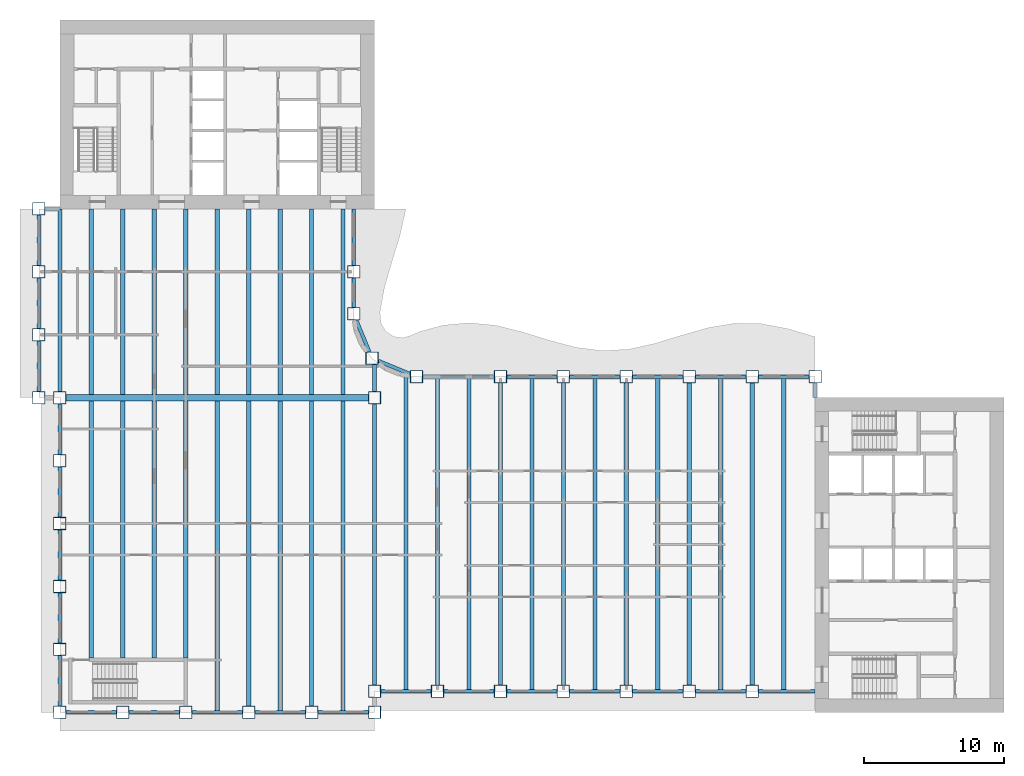
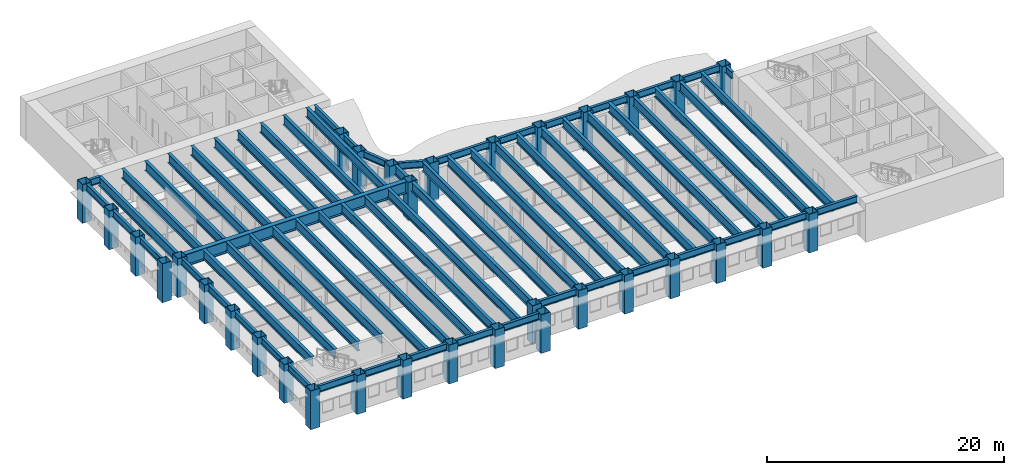
# One storey, part 1 of 16: 67 beams, 33 columns.
"""IFC4 building model written with IfcOpenShell, lengths in metres."""

from ifc_helpers import new_model, si_unit, direction, frame, origin, origin_2d, place, context, subcontext, project, spatial, hollow_rectangle, i_section, extrude, material, material_profile, profile_set, type_object, element, save


model = new_model("IFC4")

# Units and contexts
model_context = context("Model", 3, precision=1e-05, world=origin(), true_north=direction((0.0, 1.0)))
body_context = subcontext(model_context, "Body", "Model", "MODEL_VIEW")
ifc_project = project(units=[si_unit("LENGTHUNIT", "METRE"), si_unit("AREAUNIT", "SQUARE_METRE"), si_unit("VOLUMEUNIT", "CUBIC_METRE"), si_unit("PLANEANGLEUNIT", "RADIAN"), si_unit("MASSUNIT", "GRAM", prefix="KILO")], contexts=[model_context])

# Site, building, storey
site_placement = place(None, origin())
site = spatial("IfcSite", under=ifc_project, at=site_placement, CompositionType="ELEMENT")
building_placement = place(site_placement, origin())
building = spatial("IfcBuilding", under=site, at=building_placement, Name="Sennacour Bend Tower", CompositionType="ELEMENT")
storey_placement = place(building_placement, frame((0.0, 0.0, 175.0)))
storey = spatial("IfcBuildingStorey", under=building, at=storey_placement, Name="L40", CompositionType="ELEMENT", Elevation=175.0)

# Columns
ifc_material_1 = material(Name="Steel ASTM A572 Grade 50", Category="steel")
ifc_material_profile_1 = material_profile(ifc_material_1, hollow_rectangle(XDim=0.89990234375, YDim=0.89990234375, WallThickness=0.044921875, at=origin_2d()), Name="Steel ASTM A572 Grade 50", Category="steel")
ifc_profile_set_1 = profile_set([ifc_material_profile_1], Name="Steel ASTM A572 Grade 50")
column_type = type_object("IfcColumnType", Name="Box column 900", PredefinedType="COLUMN", material=ifc_profile_set_1)
for number, where, z_axis, x_axis, name in (
    (1, (-1.5, 22.5, -0.14990234375), (0.0, 0.0, 1.0), (1.0, 0.0, 0.0), "Perimeter column C3 L40-001"),
    (2, (-1.5, 27.0, -0.14990234375), (0.0, 0.0, 1.0), (1.0, 0.0, 0.0), "Perimeter column C3 L40-002"),
    (3, (-1.5, 31.5, -0.14990234375), (0.0, 0.0, 1.0), (1.0, 0.0, 0.0), "Perimeter column C3 L40-003"),
    (4, (-1.5, 36.0, -0.14990234375), (0.0, 0.0, 1.0), (1.0, 0.0, 0.0), "Perimeter column C3 L40-004"),
    (5, (0.0, 0.0, -0.14990234375), (0.0, 0.0, 1.0), (1.0, 0.0, 0.0), "Perimeter column C3 L40-005"),
    (6, (0.0, 4.5, -0.14990234375), (0.0, 0.0, 1.0), (1.0, 0.0, 0.0), "Perimeter column C3 L40-006"),
    (7, (0.0, 9.0, -0.14990234375), (0.0, 0.0, 1.0), (1.0, 0.0, 0.0), "Perimeter column C3 L40-007"),
    (8, (0.0, 13.5, -0.14990234375), (0.0, 0.0, 1.0), (1.0, 0.0, 0.0), "Perimeter column C3 L40-008"),
    (9, (0.0, 18.0, -0.14990234375), (0.0, 0.0, 1.0), (1.0, 0.0, 0.0), "Perimeter column C3 L40-009"),
    (10, (0.0, 22.5, -0.14990234375), (0.0, 0.0, 1.0), (1.0, 0.0, 0.0), "Perimeter column C3 L40-010"),
    (11, (4.5, 0.0, -0.14990234375), (0.0, 0.0, 1.0), (1.0, 0.0, 0.0), "Perimeter column C3 L40-011"),
    (12, (9.0, 0.0, -0.14990234375), (0.0, 0.0, 1.0), (1.0, 0.0, 0.0), "Perimeter column C3 L40-012"),
    (13, (13.5, 0.0, -0.14990234375), (0.0, 0.0, 1.0), (1.0, 0.0, 0.0), "Perimeter column C3 L40-013"),
    (14, (18.0, 0.0, -0.14990234375), (0.0, 0.0, 1.0), (1.0, 0.0, 0.0), "Perimeter column C3 L40-014"),
    (15, (21.0, 28.5, -0.14990234375), (0.0, 0.0, 1.0), (1.0, 0.0, 0.0), "Perimeter column C3 L40-015"),
    (16, (21.0, 31.5, -0.14990234375), (0.0, 0.0, 1.0), (1.0, 0.0, 0.0), "Perimeter column C3 L40-016"),
    (17, (22.318115234375, 25.318115234375, -0.14990234375), (0.0, 0.0, 1.0), (1.0, 0.0, 0.0), "Perimeter column C3 L40-017"),
    (18, (22.5, 0.0, -0.14990234375), (0.0, 0.0, 1.0), (1.0, 0.0, 0.0), "Perimeter column C3 L40-018"),
    (19, (22.5, 1.5, -0.14990234375), (0.0, 0.0, 1.0), (1.0, 0.0, 0.0), "Perimeter column C3 L40-019"),
    (20, (22.5, 22.5, -0.14990234375), (0.0, 0.0, 1.0), (1.0, 0.0, 0.0), "Knuckle column C3 L40-020"),
    (21, (25.5, 24.0, -0.14990234375), (0.0, 0.0, 1.0), (1.0, 0.0, 0.0), "Perimeter column C3 L40-021"),
    (22, (27.0, 1.5, -0.14990234375), (0.0, 0.0, 1.0), (1.0, 0.0, 0.0), "Perimeter column C3 L40-022"),
    (23, (31.5, 1.5, -0.14990234375), (0.0, 0.0, 1.0), (1.0, 0.0, 0.0), "Perimeter column C3 L40-023"),
    (24, (31.5, 24.0, -0.14990234375), (0.0, 0.0, 1.0), (1.0, 0.0, 0.0), "Perimeter column C3 L40-024"),
    (25, (36.0, 1.5, -0.14990234375), (0.0, 0.0, 1.0), (1.0, 0.0, 0.0), "Perimeter column C3 L40-025"),
    (26, (36.0, 24.0, -0.14990234375), (0.0, 0.0, 1.0), (1.0, 0.0, 0.0), "Perimeter column C3 L40-026"),
    (27, (40.5, 1.5, -0.14990234375), (0.0, 0.0, 1.0), (1.0, 0.0, 0.0), "Perimeter column C3 L40-027"),
    (28, (40.5, 24.0, -0.14990234375), (0.0, 0.0, 1.0), (1.0, 0.0, 0.0), "Perimeter column C3 L40-028"),
    (29, (45.0, 1.5, -0.14990234375), (0.0, 0.0, 1.0), (1.0, 0.0, 0.0), "Perimeter column C3 L40-029"),
    (30, (45.0, 24.0, -0.14990234375), (0.0, 0.0, 1.0), (1.0, 0.0, 0.0), "Perimeter column C3 L40-030"),
    (31, (49.5, 1.5, -0.14990234375), (0.0, 0.0, 1.0), (1.0, 0.0, 0.0), "Perimeter column C3 L40-031"),
    (32, (49.5, 24.0, -0.14990234375), (0.0, 0.0, 1.0), (1.0, 0.0, 0.0), "Perimeter column C3 L40-032"),
    (33, (54.0, 24.0, -0.14990234375), (0.0, 0.0, 1.0), (1.0, 0.0, 0.0), "Perimeter column C3 L40-033"),
):
    element("IfcColumn", number, at=place(storey_placement, frame(where, z_axis=z_axis, x_axis=x_axis)), inside=storey, type_object=column_type, Name=name, PredefinedType="COLUMN", context=body_context, shape_type="SweptSolid", body=[
        extrude(hollow_rectangle(XDim=0.89990234375, YDim=0.89990234375, WallThickness=0.044921875, at=origin_2d()), origin(), (0.0, 0.0, 1.0), 4.0),
    ])

# Beams
ifc_material_2 = material(Name="Steel ASTM A992 Grade 50", Category="steel")
ifc_material_profile_2 = material_profile(ifc_material_2, i_section(OverallWidth=0.300048828125, OverallDepth=0.97998046875, WebThickness=0.0166015625, FlangeThickness=0.026123046875, FilletRadius=0.02978515625, at=origin_2d()), Name="Steel ASTM A992 Grade 50", Category="steel")
ifc_profile_set_2 = profile_set([ifc_material_profile_2], Name="Steel ASTM A992 Grade 50")
beam_type_1 = type_object("IfcBeamType", Name="Floor beam W1000X249", PredefinedType="BEAM", material=ifc_profile_set_2)
beam_1_placement = place(storey_placement, frame((0.0, 22.949951171875, 3.360107421875), z_axis=(0.0, 1.0, 0.0), x_axis=(-1.0, 0.0, 0.0)))
element("IfcBeam", 34, at=beam_1_placement, inside=storey, type_object=beam_type_1, Name="Floor beam FBM2 L41-001", PredefinedType="BEAM", context=body_context, shape_type="SweptSolid", body=[
    extrude(i_section(OverallWidth=0.300048828125, OverallDepth=0.97998046875, WebThickness=0.0166015625, FlangeThickness=0.026123046875, FilletRadius=0.02978515625, at=origin_2d()), origin(), (0.0, 0.0, 1.0), 13.050048828125),
])
beam_2_placement = place(storey_placement, frame((2.25, 3.875, 3.360107421875), z_axis=(0.0, 1.0, 0.0), x_axis=(-1.0, 0.0, 0.0)))
element("IfcBeam", 35, at=beam_2_placement, inside=storey, type_object=beam_type_1, Name="Floor beam FBM2 L41-002", PredefinedType="BEAM", context=body_context, shape_type="SweptSolid", body=[
    extrude(i_section(OverallWidth=0.300048828125, OverallDepth=0.97998046875, WebThickness=0.0166015625, FlangeThickness=0.026123046875, FilletRadius=0.02978515625, at=origin_2d()), origin(), (0.0, 0.0, 1.0), 18.39990234375),
])
beam_3_placement = place(storey_placement, frame((2.25, 22.72509765625, 3.360107421875), z_axis=(0.0, 1.0, 0.0), x_axis=(-1.0, 0.0, 0.0)))
element("IfcBeam", 36, at=beam_3_placement, inside=storey, type_object=beam_type_1, Name="Floor beam FBM2 L41-003", PredefinedType="BEAM", context=body_context, shape_type="SweptSolid", body=[
    extrude(i_section(OverallWidth=0.300048828125, OverallDepth=0.97998046875, WebThickness=0.0166015625, FlangeThickness=0.026123046875, FilletRadius=0.02978515625, at=origin_2d()), origin(), (0.0, 0.0, 1.0), 13.27490234375),
])
beam_4_placement = place(storey_placement, frame((4.5, 3.875, 3.360107421875), z_axis=(0.0, 1.0, 0.0), x_axis=(-1.0, 0.0, 0.0)))
element("IfcBeam", 37, at=beam_4_placement, inside=storey, type_object=beam_type_1, Name="Floor beam FBM2 L41-004", PredefinedType="BEAM", context=body_context, shape_type="SweptSolid", body=[
    extrude(i_section(OverallWidth=0.300048828125, OverallDepth=0.97998046875, WebThickness=0.0166015625, FlangeThickness=0.026123046875, FilletRadius=0.02978515625, at=origin_2d()), origin(), (0.0, 0.0, 1.0), 18.39990234375),
])
beam_5_placement = place(storey_placement, frame((4.5, 22.72509765625, 3.360107421875), z_axis=(0.0, 1.0, 0.0), x_axis=(-1.0, 0.0, 0.0)))
element("IfcBeam", 38, at=beam_5_placement, inside=storey, type_object=beam_type_1, Name="Floor beam FBM2 L41-005", PredefinedType="BEAM", context=body_context, shape_type="SweptSolid", body=[
    extrude(i_section(OverallWidth=0.300048828125, OverallDepth=0.97998046875, WebThickness=0.0166015625, FlangeThickness=0.026123046875, FilletRadius=0.02978515625, at=origin_2d()), origin(), (0.0, 0.0, 1.0), 13.27490234375),
])
beam_6_placement = place(storey_placement, frame((6.75, 3.875, 3.360107421875), z_axis=(0.0, 1.0, 0.0), x_axis=(-1.0, 0.0, 0.0)))
element("IfcBeam", 39, at=beam_6_placement, inside=storey, type_object=beam_type_1, Name="Floor beam FBM2 L41-006", PredefinedType="BEAM", context=body_context, shape_type="SweptSolid", body=[
    extrude(i_section(OverallWidth=0.300048828125, OverallDepth=0.97998046875, WebThickness=0.0166015625, FlangeThickness=0.026123046875, FilletRadius=0.02978515625, at=origin_2d()), origin(), (0.0, 0.0, 1.0), 18.39990234375),
])
beam_7_placement = place(storey_placement, frame((6.75, 22.72509765625, 3.360107421875), z_axis=(0.0, 1.0, 0.0), x_axis=(-1.0, 0.0, 0.0)))
element("IfcBeam", 40, at=beam_7_placement, inside=storey, type_object=beam_type_1, Name="Floor beam FBM2 L41-007", PredefinedType="BEAM", context=body_context, shape_type="SweptSolid", body=[
    extrude(i_section(OverallWidth=0.300048828125, OverallDepth=0.97998046875, WebThickness=0.0166015625, FlangeThickness=0.026123046875, FilletRadius=0.02978515625, at=origin_2d()), origin(), (0.0, 0.0, 1.0), 13.27490234375),
])
beam_8_placement = place(storey_placement, frame((9.0, 3.875, 3.360107421875), z_axis=(0.0, 1.0, 0.0), x_axis=(-1.0, 0.0, 0.0)))
element("IfcBeam", 41, at=beam_8_placement, inside=storey, type_object=beam_type_1, Name="Floor beam FBM2 L41-008", PredefinedType="BEAM", context=body_context, shape_type="SweptSolid", body=[
    extrude(i_section(OverallWidth=0.300048828125, OverallDepth=0.97998046875, WebThickness=0.0166015625, FlangeThickness=0.026123046875, FilletRadius=0.02978515625, at=origin_2d()), origin(), (0.0, 0.0, 1.0), 18.39990234375),
])
beam_9_placement = place(storey_placement, frame((9.0, 22.72509765625, 3.360107421875), z_axis=(0.0, 1.0, 0.0), x_axis=(-1.0, 0.0, 0.0)))
element("IfcBeam", 42, at=beam_9_placement, inside=storey, type_object=beam_type_1, Name="Floor beam FBM2 L41-009", PredefinedType="BEAM", context=body_context, shape_type="SweptSolid", body=[
    extrude(i_section(OverallWidth=0.300048828125, OverallDepth=0.97998046875, WebThickness=0.0166015625, FlangeThickness=0.026123046875, FilletRadius=0.02978515625, at=origin_2d()), origin(), (0.0, 0.0, 1.0), 13.27490234375),
])
beam_10_placement = place(storey_placement, frame((11.25, 0.126953125, 3.360107421875), z_axis=(0.0, 1.0, 0.0), x_axis=(-1.0, 0.0, 0.0)))
element("IfcBeam", 43, at=beam_10_placement, inside=storey, type_object=beam_type_1, Name="Floor beam FBM2 L41-010", PredefinedType="BEAM", context=body_context, shape_type="SweptSolid", body=[
    extrude(i_section(OverallWidth=0.300048828125, OverallDepth=0.97998046875, WebThickness=0.0166015625, FlangeThickness=0.026123046875, FilletRadius=0.02978515625, at=origin_2d()), origin(), (0.0, 0.0, 1.0), 22.14794921875),
])
beam_11_placement = place(storey_placement, frame((11.25, 22.72509765625, 3.360107421875), z_axis=(0.0, 1.0, 0.0), x_axis=(-1.0, 0.0, 0.0)))
element("IfcBeam", 44, at=beam_11_placement, inside=storey, type_object=beam_type_1, Name="Floor beam FBM2 L41-011", PredefinedType="BEAM", context=body_context, shape_type="SweptSolid", body=[
    extrude(i_section(OverallWidth=0.300048828125, OverallDepth=0.97998046875, WebThickness=0.0166015625, FlangeThickness=0.026123046875, FilletRadius=0.02978515625, at=origin_2d()), origin(), (0.0, 0.0, 1.0), 13.27490234375),
])
beam_12_placement = place(storey_placement, frame((13.5, 0.449951171875, 3.360107421875), z_axis=(0.0, 1.0, 0.0), x_axis=(-1.0, 0.0, 0.0)))
element("IfcBeam", 45, at=beam_12_placement, inside=storey, type_object=beam_type_1, Name="Floor beam FBM2 L41-012", PredefinedType="BEAM", context=body_context, shape_type="SweptSolid", body=[
    extrude(i_section(OverallWidth=0.300048828125, OverallDepth=0.97998046875, WebThickness=0.0166015625, FlangeThickness=0.026123046875, FilletRadius=0.02978515625, at=origin_2d()), origin(), (0.0, 0.0, 1.0), 21.824951171875),
])
beam_13_placement = place(storey_placement, frame((13.5, 22.72509765625, 3.360107421875), z_axis=(0.0, 1.0, 0.0), x_axis=(-1.0, 0.0, 0.0)))
element("IfcBeam", 46, at=beam_13_placement, inside=storey, type_object=beam_type_1, Name="Floor beam FBM2 L41-013", PredefinedType="BEAM", context=body_context, shape_type="SweptSolid", body=[
    extrude(i_section(OverallWidth=0.300048828125, OverallDepth=0.97998046875, WebThickness=0.0166015625, FlangeThickness=0.026123046875, FilletRadius=0.02978515625, at=origin_2d()), origin(), (0.0, 0.0, 1.0), 13.27490234375),
])
beam_14_placement = place(storey_placement, frame((15.75, 0.126953125, 3.360107421875), z_axis=(0.0, 1.0, 0.0), x_axis=(-1.0, 0.0, 0.0)))
element("IfcBeam", 47, at=beam_14_placement, inside=storey, type_object=beam_type_1, Name="Floor beam FBM2 L41-014", PredefinedType="BEAM", context=body_context, shape_type="SweptSolid", body=[
    extrude(i_section(OverallWidth=0.300048828125, OverallDepth=0.97998046875, WebThickness=0.0166015625, FlangeThickness=0.026123046875, FilletRadius=0.02978515625, at=origin_2d()), origin(), (0.0, 0.0, 1.0), 22.14794921875),
])
beam_15_placement = place(storey_placement, frame((15.75, 22.72509765625, 3.360107421875), z_axis=(0.0, 1.0, 0.0), x_axis=(-1.0, 0.0, 0.0)))
element("IfcBeam", 48, at=beam_15_placement, inside=storey, type_object=beam_type_1, Name="Floor beam FBM2 L41-015", PredefinedType="BEAM", context=body_context, shape_type="SweptSolid", body=[
    extrude(i_section(OverallWidth=0.300048828125, OverallDepth=0.97998046875, WebThickness=0.0166015625, FlangeThickness=0.026123046875, FilletRadius=0.02978515625, at=origin_2d()), origin(), (0.0, 0.0, 1.0), 13.27490234375),
])
beam_16_placement = place(storey_placement, frame((18.0, 0.449951171875, 3.360107421875), z_axis=(0.0, 1.0, 0.0), x_axis=(-1.0, 0.0, 0.0)))
element("IfcBeam", 49, at=beam_16_placement, inside=storey, type_object=beam_type_1, Name="Floor beam FBM2 L41-016", PredefinedType="BEAM", context=body_context, shape_type="SweptSolid", body=[
    extrude(i_section(OverallWidth=0.300048828125, OverallDepth=0.97998046875, WebThickness=0.0166015625, FlangeThickness=0.026123046875, FilletRadius=0.02978515625, at=origin_2d()), origin(), (0.0, 0.0, 1.0), 21.824951171875),
])
beam_17_placement = place(storey_placement, frame((18.0, 22.72509765625, 3.360107421875), z_axis=(0.0, 1.0, 0.0), x_axis=(-1.0, 0.0, 0.0)))
element("IfcBeam", 50, at=beam_17_placement, inside=storey, type_object=beam_type_1, Name="Floor beam FBM2 L41-017", PredefinedType="BEAM", context=body_context, shape_type="SweptSolid", body=[
    extrude(i_section(OverallWidth=0.300048828125, OverallDepth=0.97998046875, WebThickness=0.0166015625, FlangeThickness=0.026123046875, FilletRadius=0.02978515625, at=origin_2d()), origin(), (0.0, 0.0, 1.0), 13.27490234375),
])
beam_18_placement = place(storey_placement, frame((20.25, 0.126953125, 3.360107421875), z_axis=(0.0, 1.0, 0.0), x_axis=(-1.0, 0.0, 0.0)))
element("IfcBeam", 51, at=beam_18_placement, inside=storey, type_object=beam_type_1, Name="Floor beam FBM2 L41-018", PredefinedType="BEAM", context=body_context, shape_type="SweptSolid", body=[
    extrude(i_section(OverallWidth=0.300048828125, OverallDepth=0.97998046875, WebThickness=0.0166015625, FlangeThickness=0.026123046875, FilletRadius=0.02978515625, at=origin_2d()), origin(), (0.0, 0.0, 1.0), 22.14794921875),
])
beam_19_placement = place(storey_placement, frame((20.25, 22.72509765625, 3.360107421875), z_axis=(0.0, 1.0, 0.0), x_axis=(-1.0, 0.0, 0.0)))
element("IfcBeam", 52, at=beam_19_placement, inside=storey, type_object=beam_type_1, Name="Floor beam FBM2 L41-019", PredefinedType="BEAM", context=body_context, shape_type="SweptSolid", body=[
    extrude(i_section(OverallWidth=0.300048828125, OverallDepth=0.97998046875, WebThickness=0.0166015625, FlangeThickness=0.026123046875, FilletRadius=0.02978515625, at=origin_2d()), origin(), (0.0, 0.0, 1.0), 13.27490234375),
])
beam_20_placement = place(storey_placement, frame((22.5, 1.949951171875, 3.360107421875), z_axis=(0.0, 1.0, 0.0), x_axis=(-1.0, 0.0, 0.0)))
element("IfcBeam", 53, at=beam_20_placement, inside=storey, type_object=beam_type_1, Name="Floor beam FBM2 L41-020", PredefinedType="BEAM", context=body_context, shape_type="SweptSolid", body=[
    extrude(i_section(OverallWidth=0.300048828125, OverallDepth=0.97998046875, WebThickness=0.0166015625, FlangeThickness=0.026123046875, FilletRadius=0.02978515625, at=origin_2d()), origin(), (0.0, 0.0, 1.0), 20.10009765625),
])
beam_21_placement = place(storey_placement, frame((22.5, 22.949951171875, 3.360107421875), z_axis=(0.0, 1.0, 0.0), x_axis=(-1.0, 0.0, 0.0)))
element("IfcBeam", 54, at=beam_21_placement, inside=storey, type_object=beam_type_1, Name="Floor beam FBM2 L41-021", PredefinedType="BEAM", context=body_context, shape_type="SweptSolid", body=[
    extrude(i_section(OverallWidth=0.300048828125, OverallDepth=0.97998046875, WebThickness=0.0166015625, FlangeThickness=0.026123046875, FilletRadius=0.02978515625, at=origin_2d()), origin(), (0.0, 0.0, 1.0), 1.91796875),
])
beam_22_placement = place(storey_placement, frame((24.75, 1.626953125, 3.360107421875), z_axis=(0.0, 1.0, 0.0), x_axis=(-1.0, 0.0, 0.0)))
element("IfcBeam", 55, at=beam_22_placement, inside=storey, type_object=beam_type_1, Name="Floor beam FBM2 L41-022", PredefinedType="BEAM", context=body_context, shape_type="SweptSolid", body=[
    extrude(i_section(OverallWidth=0.300048828125, OverallDepth=0.97998046875, WebThickness=0.0166015625, FlangeThickness=0.026123046875, FilletRadius=0.02978515625, at=origin_2d()), origin(), (0.0, 0.0, 1.0), 22.546142578125),
])
beam_23_placement = place(storey_placement, frame((27.0, 1.949951171875, 3.360107421875), z_axis=(0.0, 1.0, 0.0), x_axis=(-1.0, 0.0, 0.0)))
element("IfcBeam", 56, at=beam_23_placement, inside=storey, type_object=beam_type_1, Name="Floor beam FBM2 L41-023", PredefinedType="BEAM", context=body_context, shape_type="SweptSolid", body=[
    extrude(i_section(OverallWidth=0.300048828125, OverallDepth=0.97998046875, WebThickness=0.0166015625, FlangeThickness=0.026123046875, FilletRadius=0.02978515625, at=origin_2d()), origin(), (0.0, 0.0, 1.0), 21.923095703125),
])
beam_24_placement = place(storey_placement, frame((29.25, 1.626953125, 3.360107421875), z_axis=(0.0, 1.0, 0.0), x_axis=(-1.0, 0.0, 0.0)))
element("IfcBeam", 57, at=beam_24_placement, inside=storey, type_object=beam_type_1, Name="Floor beam FBM2 L41-024", PredefinedType="BEAM", context=body_context, shape_type="SweptSolid", body=[
    extrude(i_section(OverallWidth=0.300048828125, OverallDepth=0.97998046875, WebThickness=0.0166015625, FlangeThickness=0.026123046875, FilletRadius=0.02978515625, at=origin_2d()), origin(), (0.0, 0.0, 1.0), 22.24609375),
])
beam_25_placement = place(storey_placement, frame((31.5, 1.949951171875, 3.360107421875), z_axis=(0.0, 1.0, 0.0), x_axis=(-1.0, 0.0, 0.0)))
element("IfcBeam", 58, at=beam_25_placement, inside=storey, type_object=beam_type_1, Name="Floor beam FBM2 L41-025", PredefinedType="BEAM", context=body_context, shape_type="SweptSolid", body=[
    extrude(i_section(OverallWidth=0.300048828125, OverallDepth=0.97998046875, WebThickness=0.0166015625, FlangeThickness=0.026123046875, FilletRadius=0.02978515625, at=origin_2d()), origin(), (0.0, 0.0, 1.0), 21.60009765625),
])
beam_26_placement = place(storey_placement, frame((33.75, 1.626953125, 3.360107421875), z_axis=(0.0, 1.0, 0.0), x_axis=(-1.0, 0.0, 0.0)))
element("IfcBeam", 59, at=beam_26_placement, inside=storey, type_object=beam_type_1, Name="Floor beam FBM2 L41-026", PredefinedType="BEAM", context=body_context, shape_type="SweptSolid", body=[
    extrude(i_section(OverallWidth=0.300048828125, OverallDepth=0.97998046875, WebThickness=0.0166015625, FlangeThickness=0.026123046875, FilletRadius=0.02978515625, at=origin_2d()), origin(), (0.0, 0.0, 1.0), 22.24609375),
])
beam_27_placement = place(storey_placement, frame((36.0, 1.949951171875, 3.360107421875), z_axis=(0.0, 1.0, 0.0), x_axis=(-1.0, 0.0, 0.0)))
element("IfcBeam", 60, at=beam_27_placement, inside=storey, type_object=beam_type_1, Name="Floor beam FBM2 L41-027", PredefinedType="BEAM", context=body_context, shape_type="SweptSolid", body=[
    extrude(i_section(OverallWidth=0.300048828125, OverallDepth=0.97998046875, WebThickness=0.0166015625, FlangeThickness=0.026123046875, FilletRadius=0.02978515625, at=origin_2d()), origin(), (0.0, 0.0, 1.0), 21.60009765625),
])
beam_28_placement = place(storey_placement, frame((38.25, 1.626953125, 3.360107421875), z_axis=(0.0, 1.0, 0.0), x_axis=(-1.0, 0.0, 0.0)))
element("IfcBeam", 61, at=beam_28_placement, inside=storey, type_object=beam_type_1, Name="Floor beam FBM2 L41-028", PredefinedType="BEAM", context=body_context, shape_type="SweptSolid", body=[
    extrude(i_section(OverallWidth=0.300048828125, OverallDepth=0.97998046875, WebThickness=0.0166015625, FlangeThickness=0.026123046875, FilletRadius=0.02978515625, at=origin_2d()), origin(), (0.0, 0.0, 1.0), 22.24609375),
])
beam_29_placement = place(storey_placement, frame((40.5, 1.949951171875, 3.360107421875), z_axis=(0.0, 1.0, 0.0), x_axis=(-1.0, 0.0, 0.0)))
element("IfcBeam", 62, at=beam_29_placement, inside=storey, type_object=beam_type_1, Name="Floor beam FBM2 L41-029", PredefinedType="BEAM", context=body_context, shape_type="SweptSolid", body=[
    extrude(i_section(OverallWidth=0.300048828125, OverallDepth=0.97998046875, WebThickness=0.0166015625, FlangeThickness=0.026123046875, FilletRadius=0.02978515625, at=origin_2d()), origin(), (0.0, 0.0, 1.0), 21.60009765625),
])
beam_30_placement = place(storey_placement, frame((42.75, 1.626953125, 3.360107421875), z_axis=(0.0, 1.0, 0.0), x_axis=(-1.0, 0.0, 0.0)))
element("IfcBeam", 63, at=beam_30_placement, inside=storey, type_object=beam_type_1, Name="Floor beam FBM2 L41-030", PredefinedType="BEAM", context=body_context, shape_type="SweptSolid", body=[
    extrude(i_section(OverallWidth=0.300048828125, OverallDepth=0.97998046875, WebThickness=0.0166015625, FlangeThickness=0.026123046875, FilletRadius=0.02978515625, at=origin_2d()), origin(), (0.0, 0.0, 1.0), 22.24609375),
])
beam_31_placement = place(storey_placement, frame((45.0, 1.949951171875, 3.360107421875), z_axis=(0.0, 1.0, 0.0), x_axis=(-1.0, 0.0, 0.0)))
element("IfcBeam", 64, at=beam_31_placement, inside=storey, type_object=beam_type_1, Name="Floor beam FBM2 L41-031", PredefinedType="BEAM", context=body_context, shape_type="SweptSolid", body=[
    extrude(i_section(OverallWidth=0.300048828125, OverallDepth=0.97998046875, WebThickness=0.0166015625, FlangeThickness=0.026123046875, FilletRadius=0.02978515625, at=origin_2d()), origin(), (0.0, 0.0, 1.0), 21.60009765625),
])
beam_32_placement = place(storey_placement, frame((47.25, 1.626953125, 3.360107421875), z_axis=(0.0, 1.0, 0.0), x_axis=(-1.0, 0.0, 0.0)))
element("IfcBeam", 65, at=beam_32_placement, inside=storey, type_object=beam_type_1, Name="Floor beam FBM2 L41-032", PredefinedType="BEAM", context=body_context, shape_type="SweptSolid", body=[
    extrude(i_section(OverallWidth=0.300048828125, OverallDepth=0.97998046875, WebThickness=0.0166015625, FlangeThickness=0.026123046875, FilletRadius=0.02978515625, at=origin_2d()), origin(), (0.0, 0.0, 1.0), 22.24609375),
])
beam_33_placement = place(storey_placement, frame((49.5, 1.949951171875, 3.360107421875), z_axis=(0.0, 1.0, 0.0), x_axis=(-1.0, 0.0, 0.0)))
element("IfcBeam", 66, at=beam_33_placement, inside=storey, type_object=beam_type_1, Name="Floor beam FBM2 L41-033", PredefinedType="BEAM", context=body_context, shape_type="SweptSolid", body=[
    extrude(i_section(OverallWidth=0.300048828125, OverallDepth=0.97998046875, WebThickness=0.0166015625, FlangeThickness=0.026123046875, FilletRadius=0.02978515625, at=origin_2d()), origin(), (0.0, 0.0, 1.0), 21.60009765625),
])
beam_34_placement = place(storey_placement, frame((51.75, 1.626953125, 3.360107421875), z_axis=(0.0, 1.0, 0.0), x_axis=(-1.0, 0.0, 0.0)))
element("IfcBeam", 67, at=beam_34_placement, inside=storey, type_object=beam_type_1, Name="Floor beam FBM2 L41-034", PredefinedType="BEAM", context=body_context, shape_type="SweptSolid", body=[
    extrude(i_section(OverallWidth=0.300048828125, OverallDepth=0.97998046875, WebThickness=0.0166015625, FlangeThickness=0.026123046875, FilletRadius=0.02978515625, at=origin_2d()), origin(), (0.0, 0.0, 1.0), 22.24609375),
])
ifc_material_profile_3 = material_profile(ifc_material_1, i_section(OverallWidth=0.449951171875, OverallDepth=1.25, WebThickness=0.028076171875, FlangeThickness=0.050048828125, at=origin_2d()), Name="Steel ASTM A572 Grade 50", Category="steel")
ifc_profile_set_3 = profile_set([ifc_material_profile_3], Name="Steel ASTM A572 Grade 50")
beam_type_2 = type_object("IfcBeamType", Name="Knuckle girder 1250", PredefinedType="USERDEFINED", material=ifc_profile_set_3)
beam_35_placement = place(storey_placement, frame((0.449951171875, 22.5, 3.22509765625), z_axis=(1.0, 0.0, 0.0), x_axis=(0.0, 1.0, 0.0)))
element("IfcBeam", 68, at=beam_35_placement, inside=storey, type_object=beam_type_2, Name="Knuckle girder GK L41-001", ObjectType="KNUCKLE GIRDER", PredefinedType="USERDEFINED", context=body_context, shape_type="SweptSolid", body=[
    extrude(i_section(OverallWidth=0.449951171875, OverallDepth=1.25, WebThickness=0.028076171875, FlangeThickness=0.050048828125, at=origin_2d()), origin(), (0.0, 0.0, 1.0), 21.60009765625),
])
ifc_material_profile_4 = material_profile(ifc_material_2, i_section(OverallWidth=0.25390625, OverallDepth=0.700927734375, WebThickness=0.015380859375, FlangeThickness=0.02783203125, FilletRadius=0.015380859375, at=origin_2d()), Name="Steel ASTM A992 Grade 50", Category="steel")
ifc_profile_set_4 = profile_set([ifc_material_profile_4], Name="Steel ASTM A992 Grade 50")
beam_type_3 = type_object("IfcBeamType", Name="Spandrel beam W690X192", PredefinedType="SPANDREL", material=ifc_profile_set_4)
for number, where, z_axis, x_axis, name in (
    (69, (0.0, 0.449951171875, 3.49951171875), (0.0, 1.0, 0.0), (-1.0, 0.0, 0.0), "Spandrel beam SP4 L41-001"),
    (70, (0.0, 4.949951171875, 3.49951171875), (0.0, 1.0, 0.0), (-1.0, 0.0, 0.0), "Spandrel beam SP4 L41-002"),
    (71, (0.0, 9.449951171875, 3.49951171875), (0.0, 1.0, 0.0), (-1.0, 0.0, 0.0), "Spandrel beam SP4 L41-003"),
    (72, (0.0, 13.949951171875, 3.49951171875), (0.0, 1.0, 0.0), (-1.0, 0.0, 0.0), "Spandrel beam SP4 L41-004"),
    (73, (0.0, 18.449951171875, 3.49951171875), (0.0, 1.0, 0.0), (-1.0, 0.0, 0.0), "Spandrel beam SP4 L41-005"),
    (74, (-1.5, 22.949951171875, 3.49951171875), (0.0, 1.0, 0.0), (-1.0, 0.0, 0.0), "Spandrel beam SP4 L41-006"),
    (75, (-1.5, 27.449951171875, 3.49951171875), (0.0, 1.0, 0.0), (-1.0, 0.0, 0.0), "Spandrel beam SP4 L41-007"),
    (76, (-1.5, 31.949951171875, 3.49951171875), (0.0, 1.0, 0.0), (-1.0, 0.0, 0.0), "Spandrel beam SP4 L41-008"),
):
    element("IfcBeam", number, at=place(storey_placement, frame(where, z_axis=z_axis, x_axis=x_axis)), inside=storey, type_object=beam_type_3, Name=name, PredefinedType="SPANDREL", context=body_context, shape_type="SweptSolid", body=[
        extrude(i_section(OverallWidth=0.25390625, OverallDepth=0.700927734375, WebThickness=0.015380859375, FlangeThickness=0.02783203125, FilletRadius=0.015380859375, at=origin_2d()), origin(), (0.0, 0.0, 1.0), 3.60009765625),
    ])
beam_36_placement = place(storey_placement, frame((-1.050048828125, 36.0, 3.49951171875), z_axis=(1.0, 0.0, 0.0), x_axis=(0.0, 1.0, 0.0)))
element("IfcBeam", 77, at=beam_36_placement, inside=storey, type_object=beam_type_3, Name="Spandrel beam SP4 L41-009", PredefinedType="SPANDREL", context=body_context, shape_type="SweptSolid", body=[
    extrude(i_section(OverallWidth=0.25390625, OverallDepth=0.700927734375, WebThickness=0.015380859375, FlangeThickness=0.02783203125, FilletRadius=0.015380859375, at=origin_2d()), origin(), (0.0, 0.0, 1.0), 1.050048828125),
])
beam_37_placement = place(storey_placement, frame((21.0, 36.0, 3.49951171875), z_axis=(0.0, -1.0, 0.0), x_axis=(1.0, 0.0, 0.0)))
element("IfcBeam", 78, at=beam_37_placement, inside=storey, type_object=beam_type_3, Name="Spandrel beam SP4 L41-010", PredefinedType="SPANDREL", context=body_context, shape_type="SweptSolid", body=[
    extrude(i_section(OverallWidth=0.25390625, OverallDepth=0.700927734375, WebThickness=0.015380859375, FlangeThickness=0.02783203125, FilletRadius=0.015380859375, at=origin_2d()), origin(), (0.0, 0.0, 1.0), 4.050048828125),
])
beam_38_placement = place(storey_placement, frame((21.0, 31.050048828125, 3.49951171875), z_axis=(0.0, -1.0, 0.0), x_axis=(1.0, 0.0, 0.0)))
element("IfcBeam", 79, at=beam_38_placement, inside=storey, type_object=beam_type_3, Name="Spandrel beam SP4 L41-011", PredefinedType="SPANDREL", context=body_context, shape_type="SweptSolid", body=[
    extrude(i_section(OverallWidth=0.25390625, OverallDepth=0.700927734375, WebThickness=0.015380859375, FlangeThickness=0.02783203125, FilletRadius=0.015380859375, at=origin_2d()), origin(), (0.0, 0.0, 1.0), 2.10009765625),
])
for number, where, z_axis, x_axis, name in (
    (80, (21.186279296875, 28.050048828125, 3.49951171875), (0.382712608723, -0.923867446728, 0.0), (0.923867446728, 0.382712608723, 0.0), "Spandrel beam SP4 L41-012"),
    (81, (22.76806640625, 25.131591796875, 3.49951171875), (0.923867446728, -0.382712608723, 0.0), (0.382712608723, 0.923867446728, 0.0), "Spandrel beam SP4 L41-013"),
):
    element("IfcBeam", number, at=place(storey_placement, frame(where, z_axis=z_axis, x_axis=x_axis)), inside=storey, type_object=beam_type_3, Name=name, PredefinedType="SPANDREL", context=body_context, shape_type="SweptSolid", body=[
        extrude(i_section(OverallWidth=0.25390625, OverallDepth=0.700927734375, WebThickness=0.015380859375, FlangeThickness=0.02783203125, FilletRadius=0.015380859375, at=origin_2d()), origin(), (0.0, 0.0, 1.0), 2.469970703125),
    ])
beam_39_placement = place(storey_placement, frame((25.949951171875, 24.0, 3.49951171875), z_axis=(1.0, 0.0, 0.0), x_axis=(0.0, 1.0, 0.0)))
element("IfcBeam", 82, at=beam_39_placement, inside=storey, type_object=beam_type_3, Name="Spandrel beam SP4 L41-014", PredefinedType="SPANDREL", context=body_context, shape_type="SweptSolid", body=[
    extrude(i_section(OverallWidth=0.25390625, OverallDepth=0.700927734375, WebThickness=0.015380859375, FlangeThickness=0.02783203125, FilletRadius=0.015380859375, at=origin_2d()), origin(), (0.0, 0.0, 1.0), 5.10009765625),
])
for number, where, z_axis, x_axis, name in (
    (83, (31.949951171875, 24.0, 3.49951171875), (1.0, 0.0, 0.0), (0.0, 1.0, 0.0), "Spandrel beam SP4 L41-015"),
    (84, (36.449951171875, 24.0, 3.49951171875), (1.0, 0.0, 0.0), (0.0, 1.0, 0.0), "Spandrel beam SP4 L41-016"),
    (85, (40.949951171875, 24.0, 3.49951171875), (1.0, 0.0, 0.0), (0.0, 1.0, 0.0), "Spandrel beam SP4 L41-017"),
    (86, (45.449951171875, 24.0, 3.49951171875), (1.0, 0.0, 0.0), (0.0, 1.0, 0.0), "Spandrel beam SP4 L41-018"),
    (87, (49.949951171875, 24.0, 3.49951171875), (1.0, 0.0, 0.0), (0.0, 1.0, 0.0), "Spandrel beam SP4 L41-019"),
):
    element("IfcBeam", number, at=place(storey_placement, frame(where, z_axis=z_axis, x_axis=x_axis)), inside=storey, type_object=beam_type_3, Name=name, PredefinedType="SPANDREL", context=body_context, shape_type="SweptSolid", body=[
        extrude(i_section(OverallWidth=0.25390625, OverallDepth=0.700927734375, WebThickness=0.015380859375, FlangeThickness=0.02783203125, FilletRadius=0.015380859375, at=origin_2d()), origin(), (0.0, 0.0, 1.0), 3.60009765625),
    ])
beam_40_placement = place(storey_placement, frame((54.0, 23.550048828125, 3.49951171875), z_axis=(0.0, -1.0, 0.0), x_axis=(1.0, 0.0, 0.0)))
element("IfcBeam", 88, at=beam_40_placement, inside=storey, type_object=beam_type_3, Name="Spandrel beam SP4 L41-020", PredefinedType="SPANDREL", context=body_context, shape_type="SweptSolid", body=[
    extrude(i_section(OverallWidth=0.25390625, OverallDepth=0.700927734375, WebThickness=0.015380859375, FlangeThickness=0.02783203125, FilletRadius=0.015380859375, at=origin_2d()), origin(), (0.0, 0.0, 1.0), 1.050048828125),
])
beam_41_placement = place(storey_placement, frame((54.0, 1.5, 3.49951171875), z_axis=(-1.0, 0.0, 0.0), x_axis=(0.0, -1.0, 0.0)))
element("IfcBeam", 89, at=beam_41_placement, inside=storey, type_object=beam_type_3, Name="Spandrel beam SP4 L41-021", PredefinedType="SPANDREL", context=body_context, shape_type="SweptSolid", body=[
    extrude(i_section(OverallWidth=0.25390625, OverallDepth=0.700927734375, WebThickness=0.015380859375, FlangeThickness=0.02783203125, FilletRadius=0.015380859375, at=origin_2d()), origin(), (0.0, 0.0, 1.0), 4.050048828125),
])
for number, where, z_axis, x_axis, name in (
    (90, (49.050048828125, 1.5, 3.49951171875), (-1.0, 0.0, 0.0), (0.0, -1.0, 0.0), "Spandrel beam SP4 L41-022"),
    (91, (44.550048828125, 1.5, 3.49951171875), (-1.0, 0.0, 0.0), (0.0, -1.0, 0.0), "Spandrel beam SP4 L41-023"),
    (92, (40.050048828125, 1.5, 3.49951171875), (-1.0, 0.0, 0.0), (0.0, -1.0, 0.0), "Spandrel beam SP4 L41-024"),
    (93, (35.550048828125, 1.5, 3.49951171875), (-1.0, 0.0, 0.0), (0.0, -1.0, 0.0), "Spandrel beam SP4 L41-025"),
    (94, (31.050048828125, 1.5, 3.49951171875), (-1.0, 0.0, 0.0), (0.0, -1.0, 0.0), "Spandrel beam SP4 L41-026"),
    (95, (26.550048828125, 1.5, 3.49951171875), (-1.0, 0.0, 0.0), (0.0, -1.0, 0.0), "Spandrel beam SP4 L41-027"),
    (96, (22.050048828125, 0.0, 3.49951171875), (-1.0, 0.0, 0.0), (0.0, -1.0, 0.0), "Spandrel beam SP4 L41-028"),
    (97, (17.550048828125, 0.0, 3.49951171875), (-1.0, 0.0, 0.0), (0.0, -1.0, 0.0), "Spandrel beam SP4 L41-029"),
    (98, (13.050048828125, 0.0, 3.49951171875), (-1.0, 0.0, 0.0), (0.0, -1.0, 0.0), "Spandrel beam SP4 L41-030"),
    (99, (8.550048828125, 0.0, 3.49951171875), (-1.0, 0.0, 0.0), (0.0, -1.0, 0.0), "Spandrel beam SP4 L41-031"),
    (100, (4.050048828125, 0.0, 3.49951171875), (-1.0, 0.0, 0.0), (0.0, -1.0, 0.0), "Spandrel beam SP4 L41-032"),
):
    element("IfcBeam", number, at=place(storey_placement, frame(where, z_axis=z_axis, x_axis=x_axis)), inside=storey, type_object=beam_type_3, Name=name, PredefinedType="SPANDREL", context=body_context, shape_type="SweptSolid", body=[
        extrude(i_section(OverallWidth=0.25390625, OverallDepth=0.700927734375, WebThickness=0.015380859375, FlangeThickness=0.02783203125, FilletRadius=0.015380859375, at=origin_2d()), origin(), (0.0, 0.0, 1.0), 3.60009765625),
    ])

save(model, "model.ifc")
